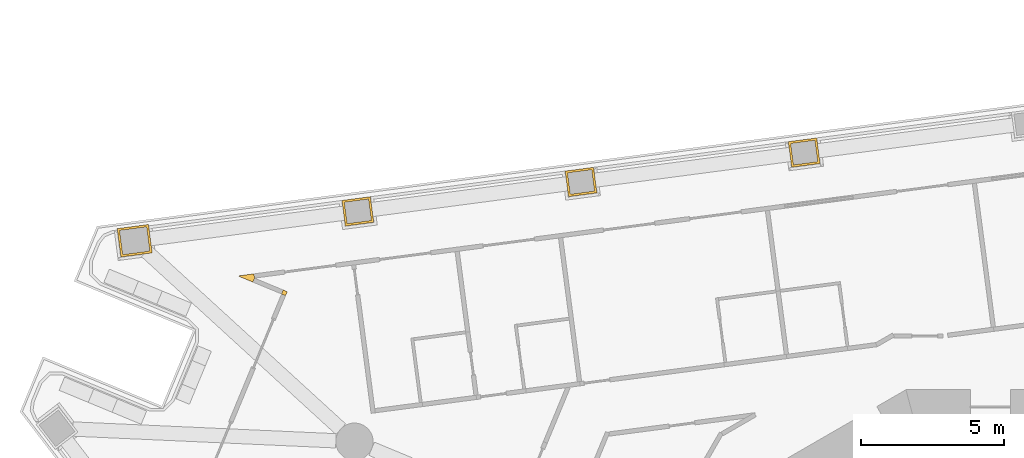
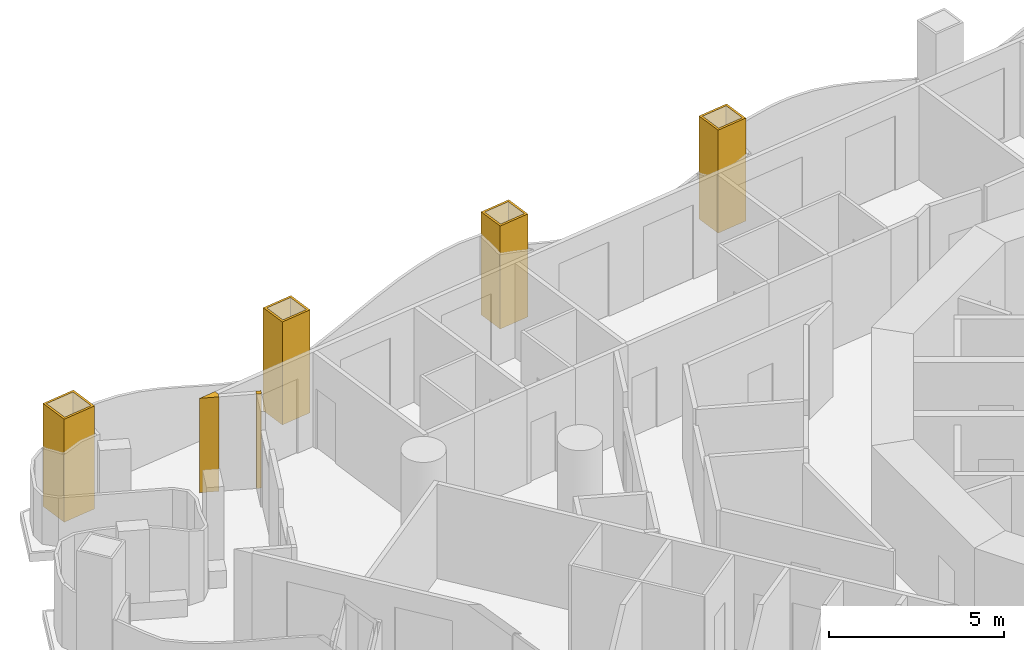
# One storey, part 16 of 19: 6 coverings.
"""IFC4 building model written with IfcOpenShell, lengths in metres."""

from ifc_helpers import new_model, si_unit, direction, frame, origin, place, context, subcontext, project, spatial, polyline, outline, extrude, material, layer, layer_set, type_object, element, save


model = new_model("IFC4")

# Units and contexts
model_context = context("Model", 3, precision=1e-05, world=origin(), true_north=direction((0.0, 1.0)))
body_context = subcontext(model_context, "Body", "Model", "MODEL_VIEW")
ifc_project = project(units=[si_unit("LENGTHUNIT", "METRE"), si_unit("AREAUNIT", "SQUARE_METRE"), si_unit("VOLUMEUNIT", "CUBIC_METRE"), si_unit("PLANEANGLEUNIT", "RADIAN"), si_unit("MASSUNIT", "GRAM", prefix="KILO")], contexts=[model_context])

# Site, building, storey
site_placement = place(None, origin())
site = spatial("IfcSite", under=ifc_project, at=site_placement, CompositionType="ELEMENT")
building_placement = place(site_placement, origin())
building = spatial("IfcBuilding", under=site, at=building_placement, Name="Trine Commons Tower", CompositionType="ELEMENT")
storey_placement = place(building_placement, frame((0.0, 0.0, 64.800048828125)))
storey = spatial("IfcBuildingStorey", under=building, at=storey_placement, Name="L15", CompositionType="ELEMENT", Elevation=64.800048828125)

# Coverings
ifc_material_1 = material(Name="Aluminium-framed insulated wall panel", Category="aluminium")
ifc_layer_1 = layer(ifc_material_1, 0.14990234375)
ifc_layer_set_1 = layer_set([ifc_layer_1], Name="Aluminium-framed insulated wall panel")
covering_type_1 = type_object("IfcCoveringType", Name="Glazing corner post, aluminium", PredefinedType="CLADDING", material=ifc_layer_set_1)
covering_1_placement = place(storey_placement, origin())
element("IfcCovering", 1, at=covering_1_placement, inside=storey, type_object=covering_type_1, Name="Glazing corner post 2-03", PredefinedType="CLADDING", context=body_context, shape_type="SweptSolid", body=[
    extrude(outline(polyline([(55.384521484375, 76.79833984375), (55.44189453125, 76.93701171875), (55.30322265625, 76.994384765625), (55.245849609375, 76.855712890625), (55.384521484375, 76.79833984375)])), origin(), (0.0, 0.0, 1.0), 3.300048828125),
])
covering_2_placement = place(storey_placement, origin())
element("IfcCovering", 2, at=covering_2_placement, inside=storey, type_object=covering_type_1, Name="Glazing corner post 2-04", PredefinedType="CLADDING", context=body_context, shape_type="SweptSolid", body=[
    extrude(outline(polyline([(54.242919921875, 77.271240234375), (54.30029296875, 77.409912109375), (54.280517578125, 77.55859375), (53.7255859375, 77.485595703125), (54.242919921875, 77.271240234375)])), origin(), (0.0, 0.0, 1.0), 3.300048828125),
])
ifc_material_2 = material(Name="Limestone, honed", Category="masonry")
ifc_layer_2 = layer(ifc_material_2, 0.074951171875)
ifc_layer_set_2 = layer_set([ifc_layer_2], Name="Limestone, honed")
covering_type_2 = type_object("IfcCoveringType", Name="Limestone column cladding 75", PredefinedType="CLADDING", material=ifc_layer_set_2)
covering_3_placement = place(storey_placement, origin())
element("IfcCovering", 3, at=covering_3_placement, inside=storey, type_object=covering_type_2, Name="Limestone pier cladding 2-09", PredefinedType="CLADDING", context=body_context, shape_type="SweptSolid", body=[
    extrude(outline(polyline([(50.726806640625, 78.291015625), (50.59619140625, 79.2822265625), (49.505615234375, 79.138671875), (49.635986328125, 78.147216796875), (50.726806640625, 78.291015625)]), holes=[polyline([(50.642578125, 78.35546875), (50.531494140625, 79.1982421875), (49.589599609375, 79.07421875), (49.70068359375, 78.2314453125), (50.642578125, 78.35546875)])]), origin(), (0.0, 0.0, 1.0), 3.599853515625),
])
covering_4_placement = place(storey_placement, origin())
element("IfcCovering", 4, at=covering_4_placement, inside=storey, type_object=covering_type_2, Name="Limestone pier cladding 2-10", PredefinedType="CLADDING", context=body_context, shape_type="SweptSolid", body=[
    extrude(outline(polyline([(58.4638671875, 79.360107421875), (58.34619140625, 80.252197265625), (57.354736328125, 80.121826171875), (57.472412109375, 79.2294921875), (58.4638671875, 79.360107421875)]), holes=[polyline([(58.379638671875, 79.424560546875), (58.28173828125, 80.168212890625), (57.43896484375, 80.05712890625), (57.536865234375, 79.313720703125), (58.379638671875, 79.424560546875)])]), origin(), (0.0, 0.0, 1.0), 3.599853515625),
])
covering_5_placement = place(storey_placement, origin())
element("IfcCovering", 5, at=covering_5_placement, inside=storey, type_object=covering_type_2, Name="Limestone pier cladding 2-11", PredefinedType="CLADDING", context=body_context, shape_type="SweptSolid", body=[
    extrude(outline(polyline([(66.257080078125, 80.385986328125), (66.1396484375, 81.2783203125), (65.148193359375, 81.147705078125), (65.265625, 80.255615234375), (66.257080078125, 80.385986328125)]), holes=[polyline([(66.1728515625, 80.45068359375), (66.074951171875, 81.194091796875), (65.232421875, 81.083251953125), (65.330078125, 80.339599609375), (66.1728515625, 80.45068359375)])]), origin(), (0.0, 0.0, 1.0), 3.599853515625),
])
covering_6_placement = place(storey_placement, origin())
element("IfcCovering", 6, at=covering_6_placement, inside=storey, type_object=covering_type_2, Name="Limestone pier cladding 2-12", PredefinedType="CLADDING", context=body_context, shape_type="SweptSolid", body=[
    extrude(outline(polyline([(74.05029296875, 81.412109375), (73.932861328125, 82.30419921875), (72.94140625, 82.173828125), (73.058837890625, 81.281494140625), (74.05029296875, 81.412109375)]), holes=[polyline([(73.96630859375, 81.4765625), (73.868408203125, 82.22021484375), (73.025634765625, 82.109130859375), (73.12353515625, 81.365478515625), (73.96630859375, 81.4765625)])]), origin(), (0.0, 0.0, 1.0), 3.599853515625),
])

save(model, "model.ifc")
